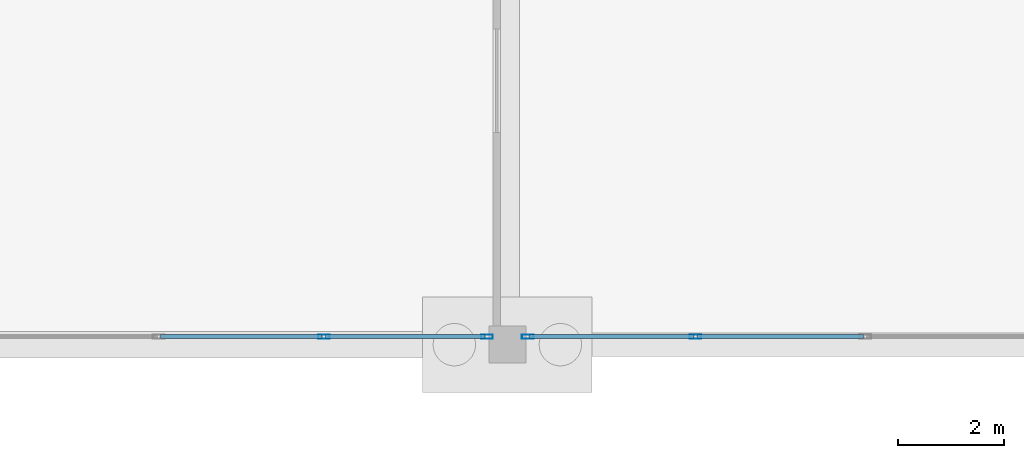
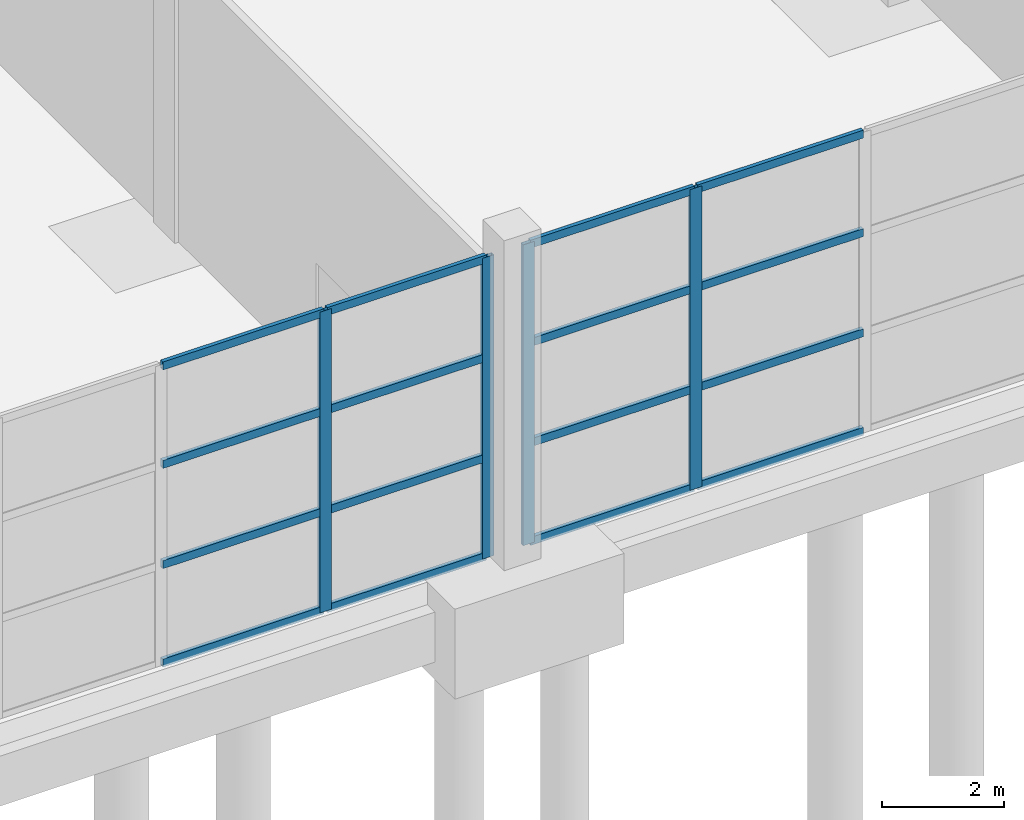
# One storey, part 66 of 115: 20 members, 2 elements without a shape of their own.
"""IFC4 building model written with IfcOpenShell, lengths in metres."""

import ifcopenshell
import ifcopenshell.guid

model = None  # the IFC model being written
_history = None  # IfcOwnerHistory: only IFC2X3 demands one
_inside = {}  # id of a spatial element -> (the spatial element, [elements in it])
_under = {}  # id of a project, library or spatial element -> (it, [spatial elements below it])
_declared = {}  # id of a project -> (the project, [libraries it declares])
_typed = {}  # id of a type object -> (the type object, [elements of that type])
_made_of = {}  # id of a material, layer set ... -> (it, [elements and type objects made of it])


def new_model(schema):
    """Start an empty IFC model of exactly this schema.

    Asked for "IFC4X3", IfcOpenShell would pick the latest addendum, in which some entities
    have other attributes; the version numbers below select the first issue.
    IFC2X3 requires an IfcOwnerHistory on every rooted entity: one is made here for all.
    """
    global model, _history
    if schema == "IFC4X3":
        model = ifcopenshell.file(schema_version=(4, 3, 0, 0))
    else:
        model = ifcopenshell.file(schema=schema)
    _inside.clear()
    _under.clear()
    _declared.clear()
    _typed.clear()
    _made_of.clear()
    _history = None
    if model.schema == "IFC2X3":
        org = make("IfcOrganization", Name="unknown")
        user = make(
            "IfcPersonAndOrganization",
            ThePerson=make("IfcPerson", FamilyName="unknown"),
            TheOrganization=org,
        )
        app = make(
            "IfcApplication",
            ApplicationDeveloper=org,
            Version="unknown",
            ApplicationFullName="unknown",
            ApplicationIdentifier="unknown",
        )
        _history = make(
            "IfcOwnerHistory",
            OwningUser=user,
            OwningApplication=app,
            ChangeAction="ADDED",
            CreationDate=0,
        )
    return model


def make(cls, **values):
    """One entity of the class cls with the attributes given. An attribute that is None is left unset."""
    return model.create_entity(
        cls, **{name: value for name, value in values.items() if value is not None}
    )


def rooted(cls, **values):
    """An entity with a GlobalId (a new one), such as an element, a storey or a relation."""
    return make(cls, GlobalId=ifcopenshell.guid.new(), OwnerHistory=_history, **values)


def si_unit(unit_type, name, prefix=None):
    """IfcSIUnit, for example si_unit("LENGTHUNIT", "METRE", prefix="MILLI")."""
    return make("IfcSIUnit", UnitType=unit_type, Prefix=prefix, Name=name)


def assignment(units):
    """IfcUnitAssignment: the units of a project."""
    return None if units is None else make("IfcUnitAssignment", Units=units)


def point(xyz):
    """IfcCartesianPoint."""
    return None if xyz is None else make("IfcCartesianPoint", Coordinates=xyz)


def direction(xyz):
    """IfcDirection."""
    return None if xyz is None else make("IfcDirection", DirectionRatios=xyz)


def frame(location, z_axis=None, x_axis=None):
    """IfcAxis2Placement3D, a coordinate frame: its origin and axes. An axis left out is left unset."""
    return make(
        "IfcAxis2Placement3D",
        Location=point(location),
        Axis=direction(z_axis),
        RefDirection=direction(x_axis),
    )


def frame_2d(location, x_axis=None):
    """IfcAxis2Placement2D, a coordinate frame in the plane: its origin and x axis."""
    return make(
        "IfcAxis2Placement2D", Location=point(location), RefDirection=direction(x_axis)
    )


def origin():
    """The frame at (0, 0, 0) with its axes left unset."""
    return frame((0.0, 0.0, 0.0))


def origin_2d():
    """The frame at (0, 0) in the plane with its x axis left unset."""
    return frame_2d((0.0, 0.0))


def place(relative_to, where):
    """IfcLocalPlacement: puts the frame where relative to a parent placement (None: the world)."""
    return make(
        "IfcLocalPlacement", PlacementRelTo=relative_to, RelativePlacement=where
    )


def context(
    kind, dimensions, precision=None, world=None, true_north=None, identifier=None
):
    """IfcGeometricRepresentationContext, for example the 3D "Model" context."""
    return make(
        "IfcGeometricRepresentationContext",
        ContextIdentifier=identifier,
        ContextType=kind,
        CoordinateSpaceDimension=dimensions,
        Precision=precision,
        WorldCoordinateSystem=world,
        TrueNorth=true_north,
    )


def subcontext(parent, identifier, kind, view, scale=None):
    """IfcGeometricRepresentationSubContext, for example "Body" below "Model"."""
    return make(
        "IfcGeometricRepresentationSubContext",
        ContextIdentifier=identifier,
        ContextType=kind,
        ParentContext=parent,
        TargetScale=scale,
        TargetView=view,
    )


def project(units=None, contexts=None):
    """IfcProject with its units and contexts."""
    return rooted(
        "IfcProject",
        Name="project",
        RepresentationContexts=contexts,
        UnitsInContext=assignment(units),
    )


def spatial(cls, under=None, at=None, **own):
    """A site, building, storey or space (cls), placed at a placement, below another one or the project."""
    s = rooted(cls, ObjectPlacement=at, **own)
    if under is not None:
        _under.setdefault(under.id(), (under, []))[1].append(s)
    return s


def profile(cls, at=None, kind="AREA", **sizes):
    """A parametric profile (cls). Its sizes go by their IFC names, for example OverallWidth=200.0."""
    return make(cls, ProfileType=kind, Position=at, **sizes)


def hollow_rectangle(**sizes):
    """IfcRectangleHollowProfileDef."""
    return profile("IfcRectangleHollowProfileDef", **sizes)


def extrude(swept, where, along, depth):
    """IfcExtrudedAreaSolid: the profile swept, set in the frame where, extruded along a direction by depth."""
    return make(
        "IfcExtrudedAreaSolid",
        SweptArea=swept,
        Position=where,
        ExtrudedDirection=direction(along),
        Depth=depth,
    )


def shape(context_of_items, identifier, shape_type, items):
    """IfcShapeRepresentation: the items that make up one representation, for example the "Body"."""
    return make(
        "IfcShapeRepresentation",
        ContextOfItems=context_of_items,
        RepresentationIdentifier=identifier,
        RepresentationType=shape_type,
        Items=items,
    )


def material(Name=None, Category=None):
    """IfcMaterial."""
    return make("IfcMaterial", Name=Name, Category=Category)


def layer(
    of_material, thickness, ventilated=None, Name=None, Category=None, Priority=None
):
    """IfcMaterialLayer: one layer of a wall or slab, of a material (None: an air gap)."""
    return make(
        "IfcMaterialLayer",
        Material=of_material,
        LayerThickness=thickness,
        IsVentilated=ventilated,
        Name=Name,
        Category=Category,
        Priority=Priority,
    )


def layer_set(layers, Name=None):
    """IfcMaterialLayerSet."""
    return make("IfcMaterialLayerSet", MaterialLayers=layers, LayerSetName=Name)


def material_profile(
    of_material, cross_section, Name=None, Category=None, Priority=None
):
    """IfcMaterialProfile: a cross section and its material."""
    return make(
        "IfcMaterialProfile",
        Name=Name,
        Material=of_material,
        Profile=cross_section,
        Priority=Priority,
        Category=Category,
    )


def profile_set(profiles, Name=None, composite=None):
    """IfcMaterialProfileSet."""
    return make(
        "IfcMaterialProfileSet",
        Name=Name,
        MaterialProfiles=profiles,
        CompositeProfile=composite,
    )


def made_of(thing, what):
    """Note that an element or type object is made of a material, layer set ...; save() writes the relation."""
    if what is not None:
        _made_of.setdefault(what.id(), (what, []))[1].append(thing)
    return thing


def type_object(cls, material=None, **own):
    """A type object (cls), such as IfcWallType, which elements share."""
    return made_of(rooted(cls, **own), material)


def element(
    cls,
    number,
    at=None,
    inside=None,
    cuts=None,
    type_object=None,
    material=None,
    context=None,
    identifier="Body",
    shape_type=None,
    held_by="IfcProductDefinitionShape",
    body=None,
    shapes=None,
    **own,
):
    """One element of the class cls, such as IfcWall. Its Tag is "e" and its number.

    at: its placement. inside: the storey or other place that contains it. cuts: it is an
    opening in that element (IfcRelVoidsElement). A single representation is given by context,
    identifier, shape_type and body (its items); several are given by shapes. held_by: the class
    of the entity that holds the representations. save() writes the other relations.
    """
    e = rooted(cls, Tag="e%d" % number, ObjectPlacement=at, **own)
    if body is not None:
        shapes = [shape(context, identifier, shape_type, body)]
    if shapes is not None:
        e.Representation = make(held_by, Representations=shapes)
    if inside is not None:
        _inside.setdefault(inside.id(), (inside, []))[1].append(e)
    if cuts is not None:
        rooted(
            "IfcRelVoidsElement", RelatingBuildingElement=cuts, RelatedOpeningElement=e
        )
    if type_object is not None:
        _typed.setdefault(type_object.id(), (type_object, []))[1].append(e)
    return made_of(e, material)


def aggregate(whole, parts):
    """IfcRelAggregates: a whole, such as a stair, and the parts it consists of."""
    return rooted("IfcRelAggregates", RelatingObject=whole, RelatedObjects=parts)


def save(model, path):
    """Write the relations noted so far, then the file.

    IfcRelAggregates (storeys below a building ...), IfcRelContainedInSpatialStructure (elements
    in a storey), IfcRelDefinesByType, IfcRelAssociatesMaterial and IfcRelDeclares: one each for
    every whole, place, type object, material and project.
    """
    for whole, parts in _under.values():
        aggregate(whole, parts)
    for where, things in _inside.values():
        rooted(
            "IfcRelContainedInSpatialStructure",
            RelatedElements=things,
            RelatingStructure=where,
        )
    for kind, things in _typed.values():
        rooted("IfcRelDefinesByType", RelatedObjects=things, RelatingType=kind)
    for what, things in _made_of.values():
        rooted("IfcRelAssociatesMaterial", RelatedObjects=things, RelatingMaterial=what)
    for by, libraries in _declared.values():
        rooted("IfcRelDeclares", RelatingContext=by, RelatedDefinitions=libraries)
    model.write(path)


model = new_model("IFC4")

# Units and contexts
model_context = context("Model", 3, precision=1e-05, world=origin(), true_north=direction((0.0, 1.0)))
body_context = subcontext(model_context, "Body", "Model", "MODEL_VIEW")
ifc_project = project(units=[si_unit("LENGTHUNIT", "METRE"), si_unit("AREAUNIT", "SQUARE_METRE"), si_unit("VOLUMEUNIT", "CUBIC_METRE"), si_unit("PLANEANGLEUNIT", "RADIAN"), si_unit("MASSUNIT", "GRAM", prefix="KILO")], contexts=[model_context])

# Site, building, storey
site_placement = place(None, origin())
site = spatial("IfcSite", under=ifc_project, at=site_placement, CompositionType="ELEMENT")
building_placement = place(site_placement, origin())
building = spatial("IfcBuilding", under=site, at=building_placement, Name="Tamarisk Ironworks Central Station", CompositionType="ELEMENT")
storey_placement = place(building_placement, origin())
storey = spatial("IfcBuildingStorey", under=building, at=storey_placement, Name="L00", CompositionType="ELEMENT", Elevation=0.0)

# Curtain wall, members
ifc_material = material(Name="Anodized aluminium alloy 6063-T6", Category="aluminium")
ifc_layer = layer(ifc_material, 0.179931640625)
ifc_layer_set = layer_set([ifc_layer], Name="Anodized aluminium alloy 6063-T6")
curtain_wall_type = type_object("IfcCurtainWallType", Name="CW-15", PredefinedType="USERDEFINED", material=ifc_layer_set)
curtain_wall_1_placement = place(storey_placement, origin())
curtain_wall_1 = element("IfcCurtainWall", 1, at=curtain_wall_1_placement, inside=storey, type_object=curtain_wall_type, Name="South-east annex L00 curtain wall 140", ObjectType="GLAZED CURTAIN WALL", PredefinedType="USERDEFINED")
ifc_material_profile_1 = material_profile(ifc_material, hollow_rectangle(XDim=0.074951171875, YDim=0.219970703125, WallThickness=0.00390625, at=origin_2d()), Name="ALUM 220x75")
ifc_profile_set_1 = profile_set([ifc_material_profile_1], Name="Anodized aluminium alloy 6063-T6")
member_type_1 = type_object("IfcMemberType", Name="CWM-01", PredefinedType="MULLION", material=ifc_profile_set_1)
member_1_placement = place(storey_placement, frame((149.53857421875, 0.14990234375, 0.0), z_axis=(0.0, 0.0, 1.0), x_axis=(0.0, 1.0, 0.0)))
member_1 = element("IfcMember", 2, at=member_1_placement, type_object=member_type_1, Name="CW15 mullion 4", PredefinedType="MULLION", context=body_context, shape_type="SweptSolid", body=[
    extrude(hollow_rectangle(XDim=0.074951171875, YDim=0.219970703125, WallThickness=0.00390625, at=origin_2d()), origin(), (0.0, 0.0, 1.0), 6.02001953125),
])
member_2_placement = place(storey_placement, frame((152.614501953125, 0.14990234375, 0.0), z_axis=(0.0, 0.0, 1.0), x_axis=(0.0, 1.0, 0.0)))
member_2 = element("IfcMember", 3, at=member_2_placement, type_object=member_type_1, Name="CW15 mullion 5", PredefinedType="MULLION", context=body_context, shape_type="SweptSolid", body=[
    extrude(hollow_rectangle(XDim=0.074951171875, YDim=0.219970703125, WallThickness=0.00390625, at=origin_2d()), origin(), (0.0, 0.0, 1.0), 6.02001953125),
])

curtain_wall_2_placement = place(storey_placement, origin())
curtain_wall_2 = element("IfcCurtainWall", 4, at=curtain_wall_2_placement, inside=storey, type_object=curtain_wall_type, Name="South-east annex L00 curtain wall 153", ObjectType="GLAZED CURTAIN WALL", PredefinedType="USERDEFINED")
member_3_placement = place(storey_placement, frame((153.385498046875, 0.14990234375, 0.0), z_axis=(0.0, 0.0, 1.0), x_axis=(0.0, 1.0, 0.0)))
member_3 = element("IfcMember", 5, at=member_3_placement, type_object=member_type_1, Name="CW15 mullion 1", PredefinedType="MULLION", context=body_context, shape_type="SweptSolid", body=[
    extrude(hollow_rectangle(XDim=0.074951171875, YDim=0.219970703125, WallThickness=0.00390625, at=origin_2d()), origin(), (0.0, 0.0, 1.0), 6.02001953125),
])
member_4_placement = place(storey_placement, frame((156.549072265625, 0.14990234375, 0.0), z_axis=(0.0, 0.0, 1.0), x_axis=(0.0, 1.0, 0.0)))
member_4 = element("IfcMember", 6, at=member_4_placement, type_object=member_type_1, Name="CW15 mullion 2", PredefinedType="MULLION", context=body_context, shape_type="SweptSolid", body=[
    extrude(hollow_rectangle(XDim=0.074951171875, YDim=0.219970703125, WallThickness=0.00390625, at=origin_2d()), origin(), (0.0, 0.0, 1.0), 6.02001953125),
])

# Member
ifc_material_profile_2 = material_profile(ifc_material, hollow_rectangle(XDim=0.074951171875, YDim=0.159912109375, WallThickness=0.00390625, at=origin_2d()), Name="ALUM 160x75")
ifc_profile_set_2 = profile_set([ifc_material_profile_2], Name="Anodized aluminium alloy 6063-T6")
member_type_2 = type_object("IfcMemberType", Name="CWT-01", PredefinedType="USERDEFINED", material=ifc_profile_set_2)
member_5_placement = place(storey_placement, frame((146.45849609375, 0.14990234375, 0.03759765625), z_axis=(1.0, 0.0, 0.0), x_axis=(0.0, 1.0, 0.0)))
member_5 = element("IfcMember", 7, at=member_5_placement, type_object=member_type_2, Name="CW15 transom 3.1", ObjectType="TRANSOM", PredefinedType="USERDEFINED", context=body_context, shape_type="SweptSolid", body=[
    extrude(hollow_rectangle(XDim=0.074951171875, YDim=0.159912109375, WallThickness=0.00390625, at=origin_2d()), origin(), (0.0, 0.0, 1.0), 3.04638671875),
])

member_6_placement = place(storey_placement, frame((146.45849609375, 0.14990234375, 2.006591796875), z_axis=(1.0, 0.0, 0.0), x_axis=(0.0, 1.0, 0.0)))
member_6 = element("IfcMember", 8, at=member_6_placement, type_object=member_type_2, Name="CW15 transom 3.2", ObjectType="TRANSOM", PredefinedType="USERDEFINED", context=body_context, shape_type="SweptSolid", body=[
    extrude(hollow_rectangle(XDim=0.074951171875, YDim=0.159912109375, WallThickness=0.00390625, at=origin_2d()), origin(), (0.0, 0.0, 1.0), 3.04638671875),
])

member_7_placement = place(storey_placement, frame((146.45849609375, 0.14990234375, 4.01318359375), z_axis=(1.0, 0.0, 0.0), x_axis=(0.0, 1.0, 0.0)))
member_7 = element("IfcMember", 9, at=member_7_placement, type_object=member_type_2, Name="CW15 transom 3.3", ObjectType="TRANSOM", PredefinedType="USERDEFINED", context=body_context, shape_type="SweptSolid", body=[
    extrude(hollow_rectangle(XDim=0.074951171875, YDim=0.159912109375, WallThickness=0.00390625, at=origin_2d()), origin(), (0.0, 0.0, 1.0), 3.04638671875),
])

member_8_placement = place(storey_placement, frame((146.45849609375, 0.14990234375, 5.982421875), z_axis=(1.0, 0.0, 0.0), x_axis=(0.0, 1.0, 0.0)))
member_8 = element("IfcMember", 10, at=member_8_placement, type_object=member_type_2, Name="CW15 transom 3.4", ObjectType="TRANSOM", PredefinedType="USERDEFINED", context=body_context, shape_type="SweptSolid", body=[
    extrude(hollow_rectangle(XDim=0.074951171875, YDim=0.159912109375, WallThickness=0.00390625, at=origin_2d()), origin(), (0.0, 0.0, 1.0), 3.04638671875),
])

member_9_placement = place(storey_placement, frame((149.572021484375, 0.14990234375, 0.03759765625), z_axis=(1.0, 0.0, 0.0), x_axis=(0.0, 1.0, 0.0)))
member_9 = element("IfcMember", 11, at=member_9_placement, type_object=member_type_2, Name="CW15 transom 4.1", ObjectType="TRANSOM", PredefinedType="USERDEFINED", context=body_context, shape_type="SweptSolid", body=[
    extrude(hollow_rectangle(XDim=0.074951171875, YDim=0.159912109375, WallThickness=0.00390625, at=origin_2d()), origin(), (0.0, 0.0, 1.0), 3.009033203125),
])

member_10_placement = place(storey_placement, frame((149.572021484375, 0.14990234375, 2.006591796875), z_axis=(1.0, 0.0, 0.0), x_axis=(0.0, 1.0, 0.0)))
member_10 = element("IfcMember", 12, at=member_10_placement, type_object=member_type_2, Name="CW15 transom 4.2", ObjectType="TRANSOM", PredefinedType="USERDEFINED", context=body_context, shape_type="SweptSolid", body=[
    extrude(hollow_rectangle(XDim=0.074951171875, YDim=0.159912109375, WallThickness=0.00390625, at=origin_2d()), origin(), (0.0, 0.0, 1.0), 3.009033203125),
])

member_11_placement = place(storey_placement, frame((149.572021484375, 0.14990234375, 4.01318359375), z_axis=(1.0, 0.0, 0.0), x_axis=(0.0, 1.0, 0.0)))
member_11 = element("IfcMember", 13, at=member_11_placement, type_object=member_type_2, Name="CW15 transom 4.3", ObjectType="TRANSOM", PredefinedType="USERDEFINED", context=body_context, shape_type="SweptSolid", body=[
    extrude(hollow_rectangle(XDim=0.074951171875, YDim=0.159912109375, WallThickness=0.00390625, at=origin_2d()), origin(), (0.0, 0.0, 1.0), 3.009033203125),
])

member_12_placement = place(storey_placement, frame((149.572021484375, 0.14990234375, 5.982421875), z_axis=(1.0, 0.0, 0.0), x_axis=(0.0, 1.0, 0.0)))
member_12 = element("IfcMember", 14, at=member_12_placement, type_object=member_type_2, Name="CW15 transom 4.4", ObjectType="TRANSOM", PredefinedType="USERDEFINED", context=body_context, shape_type="SweptSolid", body=[
    extrude(hollow_rectangle(XDim=0.074951171875, YDim=0.159912109375, WallThickness=0.00390625, at=origin_2d()), origin(), (0.0, 0.0, 1.0), 3.009033203125),
])

aggregate(curtain_wall_1, [member_1, member_2, member_5, member_6, member_7, member_8, member_9, member_10, member_11, member_12])

member_13_placement = place(storey_placement, frame((153.4189453125, 0.14990234375, 0.03759765625), z_axis=(1.0, 0.0, 0.0), x_axis=(0.0, 1.0, 0.0)))
member_13 = element("IfcMember", 15, at=member_13_placement, type_object=member_type_2, Name="CW15 transom 1.1", ObjectType="TRANSOM", PredefinedType="USERDEFINED", context=body_context, shape_type="SweptSolid", body=[
    extrude(hollow_rectangle(XDim=0.074951171875, YDim=0.159912109375, WallThickness=0.00390625, at=origin_2d()), origin(), (0.0, 0.0, 1.0), 3.096435546875),
])

member_14_placement = place(storey_placement, frame((153.4189453125, 0.14990234375, 2.006591796875), z_axis=(1.0, 0.0, 0.0), x_axis=(0.0, 1.0, 0.0)))
member_14 = element("IfcMember", 16, at=member_14_placement, type_object=member_type_2, Name="CW15 transom 1.2", ObjectType="TRANSOM", PredefinedType="USERDEFINED", context=body_context, shape_type="SweptSolid", body=[
    extrude(hollow_rectangle(XDim=0.074951171875, YDim=0.159912109375, WallThickness=0.00390625, at=origin_2d()), origin(), (0.0, 0.0, 1.0), 3.096435546875),
])

member_15_placement = place(storey_placement, frame((153.4189453125, 0.14990234375, 4.01318359375), z_axis=(1.0, 0.0, 0.0), x_axis=(0.0, 1.0, 0.0)))
member_15 = element("IfcMember", 17, at=member_15_placement, type_object=member_type_2, Name="CW15 transom 1.3", ObjectType="TRANSOM", PredefinedType="USERDEFINED", context=body_context, shape_type="SweptSolid", body=[
    extrude(hollow_rectangle(XDim=0.074951171875, YDim=0.159912109375, WallThickness=0.00390625, at=origin_2d()), origin(), (0.0, 0.0, 1.0), 3.096435546875),
])

member_16_placement = place(storey_placement, frame((153.4189453125, 0.14990234375, 5.982421875), z_axis=(1.0, 0.0, 0.0), x_axis=(0.0, 1.0, 0.0)))
member_16 = element("IfcMember", 18, at=member_16_placement, type_object=member_type_2, Name="CW15 transom 1.4", ObjectType="TRANSOM", PredefinedType="USERDEFINED", context=body_context, shape_type="SweptSolid", body=[
    extrude(hollow_rectangle(XDim=0.074951171875, YDim=0.159912109375, WallThickness=0.00390625, at=origin_2d()), origin(), (0.0, 0.0, 1.0), 3.096435546875),
])

member_17_placement = place(storey_placement, frame((156.58251953125, 0.14990234375, 0.03759765625), z_axis=(1.0, 0.0, 0.0), x_axis=(0.0, 1.0, 0.0)))
member_17 = element("IfcMember", 19, at=member_17_placement, type_object=member_type_2, Name="CW15 transom 2.1", ObjectType="TRANSOM", PredefinedType="USERDEFINED", context=body_context, shape_type="SweptSolid", body=[
    extrude(hollow_rectangle(XDim=0.074951171875, YDim=0.159912109375, WallThickness=0.00390625, at=origin_2d()), origin(), (0.0, 0.0, 1.0), 3.134033203125),
])

member_18_placement = place(storey_placement, frame((156.58251953125, 0.14990234375, 2.006591796875), z_axis=(1.0, 0.0, 0.0), x_axis=(0.0, 1.0, 0.0)))
member_18 = element("IfcMember", 20, at=member_18_placement, type_object=member_type_2, Name="CW15 transom 2.2", ObjectType="TRANSOM", PredefinedType="USERDEFINED", context=body_context, shape_type="SweptSolid", body=[
    extrude(hollow_rectangle(XDim=0.074951171875, YDim=0.159912109375, WallThickness=0.00390625, at=origin_2d()), origin(), (0.0, 0.0, 1.0), 3.134033203125),
])

member_19_placement = place(storey_placement, frame((156.58251953125, 0.14990234375, 4.01318359375), z_axis=(1.0, 0.0, 0.0), x_axis=(0.0, 1.0, 0.0)))
member_19 = element("IfcMember", 21, at=member_19_placement, type_object=member_type_2, Name="CW15 transom 2.3", ObjectType="TRANSOM", PredefinedType="USERDEFINED", context=body_context, shape_type="SweptSolid", body=[
    extrude(hollow_rectangle(XDim=0.074951171875, YDim=0.159912109375, WallThickness=0.00390625, at=origin_2d()), origin(), (0.0, 0.0, 1.0), 3.134033203125),
])

member_20_placement = place(storey_placement, frame((156.58251953125, 0.14990234375, 5.982421875), z_axis=(1.0, 0.0, 0.0), x_axis=(0.0, 1.0, 0.0)))
member_20 = element("IfcMember", 22, at=member_20_placement, type_object=member_type_2, Name="CW15 transom 2.4", ObjectType="TRANSOM", PredefinedType="USERDEFINED", context=body_context, shape_type="SweptSolid", body=[
    extrude(hollow_rectangle(XDim=0.074951171875, YDim=0.159912109375, WallThickness=0.00390625, at=origin_2d()), origin(), (0.0, 0.0, 1.0), 3.134033203125),
])

aggregate(curtain_wall_2, [member_3, member_4, member_13, member_14, member_15, member_16, member_17, member_18, member_19, member_20])

save(model, "model.ifc")
